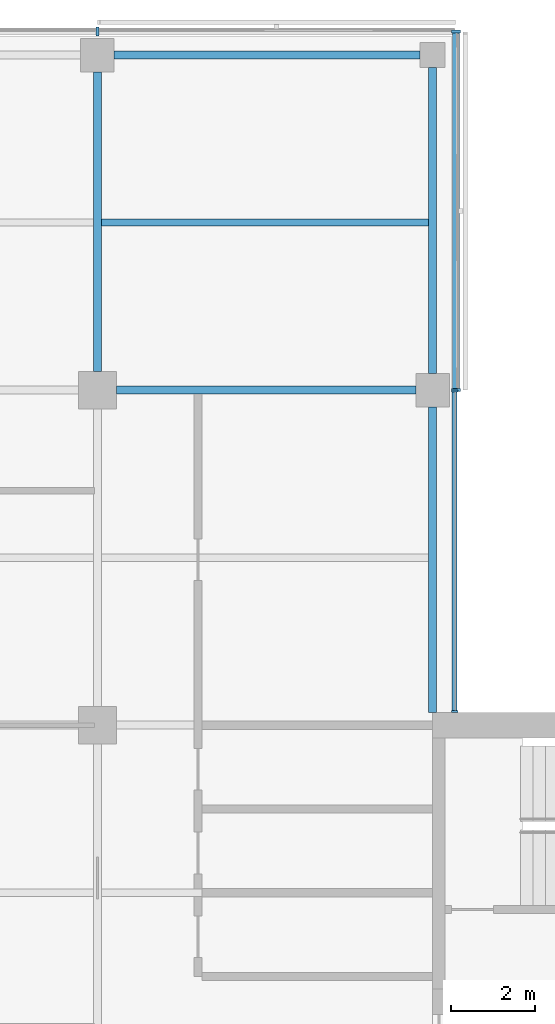
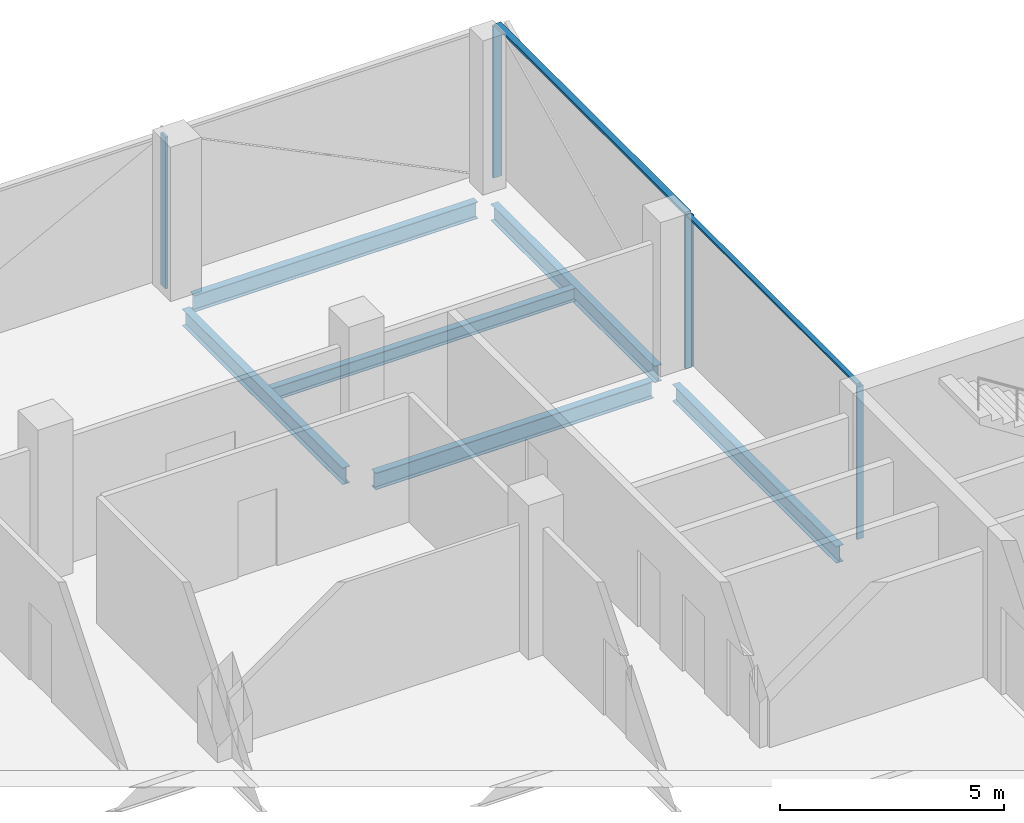
# One storey, part 7 of 16: 7 members, 6 beams, 3 elements without a shape of their own.
"""IFC4 building model written with IfcOpenShell, lengths in metres."""

from ifc_helpers import new_model, si_unit, direction, frame, origin, origin_2d, place, context, subcontext, project, spatial, rectangle, i_section, extrude, material, material_profile, profile_set, type_object, element, aggregate, save


model = new_model("IFC4")

# Units and contexts
model_context = context("Model", 3, precision=1e-05, world=origin(), true_north=direction((0.0, 1.0)))
body_context = subcontext(model_context, "Body", "Model", "MODEL_VIEW")
ifc_project = project(units=[si_unit("LENGTHUNIT", "METRE"), si_unit("AREAUNIT", "SQUARE_METRE"), si_unit("VOLUMEUNIT", "CUBIC_METRE"), si_unit("PLANEANGLEUNIT", "RADIAN"), si_unit("MASSUNIT", "GRAM", prefix="KILO")], contexts=[model_context])

# Site, building, storey
site_placement = place(None, origin())
site = spatial("IfcSite", under=ifc_project, at=site_placement, CompositionType="ELEMENT")
building_placement = place(site_placement, origin())
building = spatial("IfcBuilding", under=site, at=building_placement, Name="Crosswind Convention Tower", CompositionType="ELEMENT")
storey_placement = place(building_placement, frame((0.0, 0.0, 208.300048828125)))
storey = spatial("IfcBuildingStorey", under=building, at=storey_placement, Name="L44", CompositionType="ELEMENT", Elevation=208.300048828125)

# Beams
ifc_material_1 = material(Name="Steel S355", Category="steel")
ifc_material_profile_1 = material_profile(ifc_material_1, i_section(OverallWidth=0.18994140625, OverallDepth=0.45361328125, WebThickness=0.008544921875, FlangeThickness=0.0126953125, FilletRadius=0.01025390625, at=origin_2d()), Name="UB 457x191x67")
ifc_profile_set_1 = profile_set([ifc_material_profile_1], Name="Steel S355")
beam_type_1 = type_object("IfcBeamType", Name="Edge beam UB 457x191x67", PredefinedType="SPANDREL", material=ifc_profile_set_1)
for number, where, z_axis, x_axis, name in (
    (1, (129.39990234375, 128.0, -0.52685546875), (1.0, 0.0, 0.0), (0.0, 1.0, 0.0), "B16 L44 edge beam 10"),
    (2, (137.0, 112.300048828125, -0.52685546875), (0.0, 1.0, 0.0), (-1.0, 0.0, 0.0), "B16 L44 edge beam 13"),
    (3, (137.0, 120.39990234375, -0.52685546875), (0.0, 1.0, 0.0), (-1.0, 0.0, 0.0), "B16 L44 edge beam 14"),
):
    element("IfcBeam", number, at=place(storey_placement, frame(where, z_axis=z_axis, x_axis=x_axis)), inside=storey, type_object=beam_type_1, Name=name, PredefinedType="SPANDREL", context=body_context, shape_type="SweptSolid", body=[
        extrude(i_section(OverallWidth=0.18994140625, OverallDepth=0.45361328125, WebThickness=0.008544921875, FlangeThickness=0.0126953125, FilletRadius=0.01025390625, at=origin_2d()), origin(), (0.0, 0.0, 1.0), 7.300048828125),
    ])
ifc_material_profile_2 = material_profile(ifc_material_1, i_section(OverallWidth=0.1904296875, OverallDepth=0.457275390625, WebThickness=0.009033203125, FlangeThickness=0.014404296875, FilletRadius=0.01025390625, at=origin_2d()), Name="UB 457x191x75")
ifc_profile_set_2 = profile_set([ifc_material_profile_2], Name="Steel S355")
beam_type_2 = type_object("IfcBeamType", Name="Girder UB 457x191x75", PredefinedType="BEAM", material=ifc_profile_set_2)
for number, where, z_axis, x_axis, name in (
    (4, (129.0, 120.449951171875, -0.528564453125), (0.0, 1.0, 0.0), (-1.0, 0.0, 0.0), "B2 L44 girder 22"),
    (5, (129.449951171875, 120.0, -0.528564453125), (1.0, 0.0, 0.0), (0.0, 1.0, 0.0), "B2 L44 girder 24"),
):
    element("IfcBeam", number, at=place(storey_placement, frame(where, z_axis=z_axis, x_axis=x_axis)), inside=storey, type_object=beam_type_2, Name=name, PredefinedType="BEAM", context=body_context, shape_type="SweptSolid", body=[
        extrude(i_section(OverallWidth=0.1904296875, OverallDepth=0.457275390625, WebThickness=0.009033203125, FlangeThickness=0.014404296875, FilletRadius=0.01025390625, at=origin_2d()), origin(), (0.0, 0.0, 1.0), 7.150146484375),
    ])

# Curtain wall, members
ifc_material_2 = material(Name="Aluminium unitised curtain wall", Category="aluminium")
curtain_wall_type_1 = type_object("IfcCurtainWallType", Name="CORE END SLOT WALL 160", PredefinedType="USERDEFINED", material=ifc_material_2)
curtain_wall_1_placement = place(storey_placement, origin())
curtain_wall_1 = element("IfcCurtainWall", 6, at=curtain_wall_1_placement, inside=storey, type_object=curtain_wall_type_1, Name="CW6 L44 N-E.1-1 slot", ObjectType="UNITISED", PredefinedType="USERDEFINED")
ifc_material_3 = material(Name="Aluminium mullion", Category="aluminium")
ifc_material_profile_3 = material_profile(ifc_material_3, rectangle(XDim=0.159912109375, YDim=0.050048828125, at=origin_2d()), Name="AL 160X50")
ifc_profile_set_3 = profile_set([ifc_material_profile_3], Name="Aluminium mullion")
member_type_1 = type_object("IfcMemberType", Name="MULLION 50X160", PredefinedType="MULLION", material=ifc_profile_set_3)
member_1_placement = place(storey_placement, frame((137.530029296875, 112.324951171875, -0.300048828125), z_axis=(0.0, 0.0, 1.0), x_axis=(1.0, 0.0, 0.0)))
member_1 = element("IfcMember", 7, at=member_1_placement, type_object=member_type_1, Name="CW6 mullion 1", PredefinedType="MULLION", context=body_context, shape_type="SweptSolid", body=[
    extrude(rectangle(XDim=0.159912109375, YDim=0.050048828125, at=origin_2d()), origin(), (0.0, 0.0, 1.0), 4.14990234375),
])
member_2_placement = place(storey_placement, frame((137.530029296875, 119.97509765625, -0.300048828125), z_axis=(0.0, 0.0, 1.0), x_axis=(1.0, 0.0, 0.0)))
member_2 = element("IfcMember", 8, at=member_2_placement, type_object=member_type_1, Name="CW6 mullion 2", PredefinedType="MULLION", context=body_context, shape_type="SweptSolid", body=[
    extrude(rectangle(XDim=0.159912109375, YDim=0.050048828125, at=origin_2d()), origin(), (0.0, 0.0, 1.0), 4.14990234375),
])

curtain_wall_type_2 = type_object("IfcCurtainWallType", Name="OFFICE UNITISED WALL 220", PredefinedType="USERDEFINED", material=ifc_material_2)
curtain_wall_2_placement = place(storey_placement, origin())
curtain_wall_2 = element("IfcCurtainWall", 9, at=curtain_wall_2_placement, inside=storey, type_object=curtain_wall_type_2, Name="CW3 L44 N-E 1", ObjectType="UNITISED", PredefinedType="USERDEFINED")
ifc_material_profile_4 = material_profile(ifc_material_3, rectangle(XDim=0.219970703125, YDim=0.070068359375, at=origin_2d()), Name="AL 220X70")
ifc_profile_set_4 = profile_set([ifc_material_profile_4], Name="Aluminium mullion")
member_type_2 = type_object("IfcMemberType", Name="MULLION 70X220", PredefinedType="MULLION", material=ifc_profile_set_4)
member_3_placement = place(storey_placement, frame((137.56005859375, 120.0, -0.300048828125), z_axis=(0.0, 0.0, 1.0), x_axis=(1.0, 0.0, 0.0)))
member_3 = element("IfcMember", 10, at=member_3_placement, type_object=member_type_2, Name="CW3 mullion 1", PredefinedType="MULLION", context=body_context, shape_type="SweptSolid", body=[
    extrude(rectangle(XDim=0.219970703125, YDim=0.070068359375, at=origin_2d()), origin(), (0.0, 0.0, 1.0), 4.1298828125),
])
member_4_placement = place(storey_placement, frame((137.56005859375, 128.56005859375, -0.300048828125), z_axis=(0.0, 0.0, 1.0), x_axis=(1.0, 0.0, 0.0)))
member_4 = element("IfcMember", 11, at=member_4_placement, type_object=member_type_2, Name="CW3 mullion 2", PredefinedType="MULLION", context=body_context, shape_type="SweptSolid", body=[
    extrude(rectangle(XDim=0.219970703125, YDim=0.070068359375, at=origin_2d()), origin(), (0.0, 0.0, 1.0), 4.1298828125),
])

# Curtain wall, member
curtain_wall_3_placement = place(storey_placement, origin())
curtain_wall_3 = element("IfcCurtainWall", 12, at=curtain_wall_3_placement, inside=storey, type_object=curtain_wall_type_2, Name="CW3 L44 N-TIP 1", ObjectType="UNITISED", PredefinedType="USERDEFINED")
member_5_placement = place(storey_placement, frame((129.0, 128.56005859375, -0.300048828125), z_axis=(0.0, 0.0, 1.0), x_axis=(0.0, 1.0, 0.0)))
member_5 = element("IfcMember", 13, at=member_5_placement, type_object=member_type_2, Name="CW3 mullion 2", PredefinedType="MULLION", context=body_context, shape_type="SweptSolid", body=[
    extrude(rectangle(XDim=0.219970703125, YDim=0.070068359375, at=origin_2d()), origin(), (0.0, 0.0, 1.0), 4.1298828125),
])
aggregate(curtain_wall_3, [member_5])

# Beam
ifc_material_profile_5 = material_profile(ifc_material_1, i_section(OverallWidth=0.172119140625, OverallDepth=0.358642578125, WebThickness=0.008056640625, FlangeThickness=0.012939453125, FilletRadius=0.01025390625, at=origin_2d()), Name="UB 356x171x57")
ifc_profile_set_5 = profile_set([ifc_material_profile_5], Name="Steel S355")
beam_type_3 = type_object("IfcBeamType", Name="Secondary beam UB 356x171x57", PredefinedType="JOIST", material=ifc_profile_set_5)
beam_placement = place(storey_placement, frame((129.09521484375, 124.0, -0.479248046875), z_axis=(1.0, 0.0, 0.0), x_axis=(0.0, 1.0, 0.0)))
element("IfcBeam", 14, at=beam_placement, inside=storey, type_object=beam_type_3, Name="B9 L44 secondary beam 21", PredefinedType="JOIST", context=body_context, shape_type="SweptSolid", body=[
    extrude(i_section(OverallWidth=0.172119140625, OverallDepth=0.358642578125, WebThickness=0.008056640625, FlangeThickness=0.012939453125, FilletRadius=0.01025390625, at=origin_2d()), origin(), (0.0, 0.0, 1.0), 7.809814453125),
])

# Member
ifc_material_4 = material(Name="Aluminium transom", Category="aluminium")
ifc_material_profile_6 = material_profile(ifc_material_4, rectangle(XDim=0.1201171875, YDim=0.050048828125, at=origin_2d()), Name="AL 120X50")
ifc_profile_set_6 = profile_set([ifc_material_profile_6], Name="Aluminium transom")
member_type_3 = type_object("IfcMemberType", Name="TRANSOM 50X120", PredefinedType="USERDEFINED", material=ifc_profile_set_6)
member_6_placement = place(storey_placement, frame((137.530029296875, 112.35009765625, 3.875), z_axis=(0.0, 1.0, 0.0), x_axis=(-1.0, 0.0, 0.0)))
member_6 = element("IfcMember", 15, at=member_6_placement, type_object=member_type_3, Name="CW6 transom", ObjectType="TRANSOM", PredefinedType="USERDEFINED", context=body_context, shape_type="SweptSolid", body=[
    extrude(rectangle(XDim=0.1201171875, YDim=0.050048828125, at=origin_2d()), origin(), (0.0, 0.0, 1.0), 7.599853515625),
])

aggregate(curtain_wall_1, [member_1, member_2, member_6])

ifc_material_profile_7 = material_profile(ifc_material_4, rectangle(XDim=0.159912109375, YDim=0.070068359375, at=origin_2d()), Name="AL 160X70")
ifc_profile_set_7 = profile_set([ifc_material_profile_7], Name="Aluminium transom")
member_type_4 = type_object("IfcMemberType", Name="TRANSOM 70X160", PredefinedType="USERDEFINED", material=ifc_profile_set_7)
member_7_placement = place(storey_placement, frame((137.56005859375, 120.034912109375, 3.864990234375), z_axis=(0.0, 1.0, 0.0), x_axis=(-1.0, 0.0, 0.0)))
member_7 = element("IfcMember", 16, at=member_7_placement, type_object=member_type_4, Name="CW3 transom", ObjectType="TRANSOM", PredefinedType="USERDEFINED", context=body_context, shape_type="SweptSolid", body=[
    extrude(rectangle(XDim=0.159912109375, YDim=0.070068359375, at=origin_2d()), origin(), (0.0, 0.0, 1.0), 8.489990234375),
])

aggregate(curtain_wall_2, [member_3, member_4, member_7])

save(model, "model.ifc")
